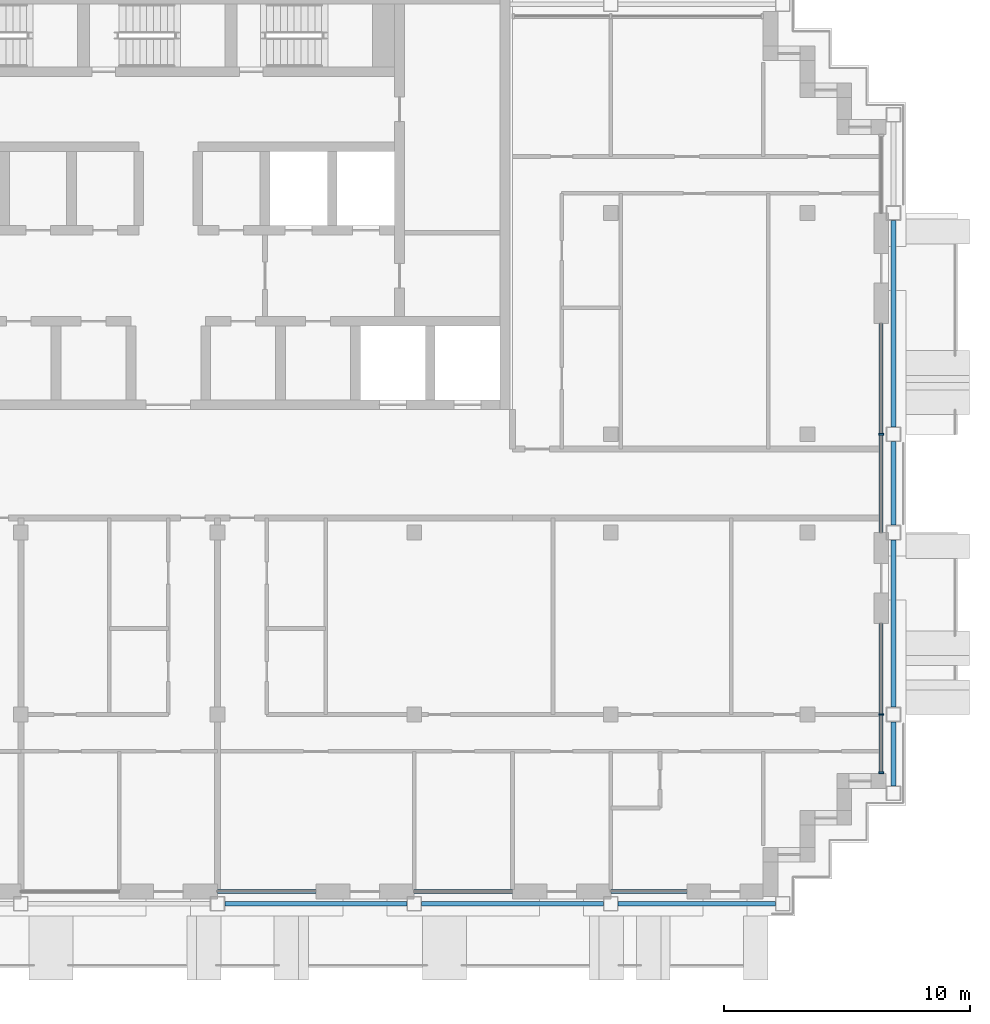
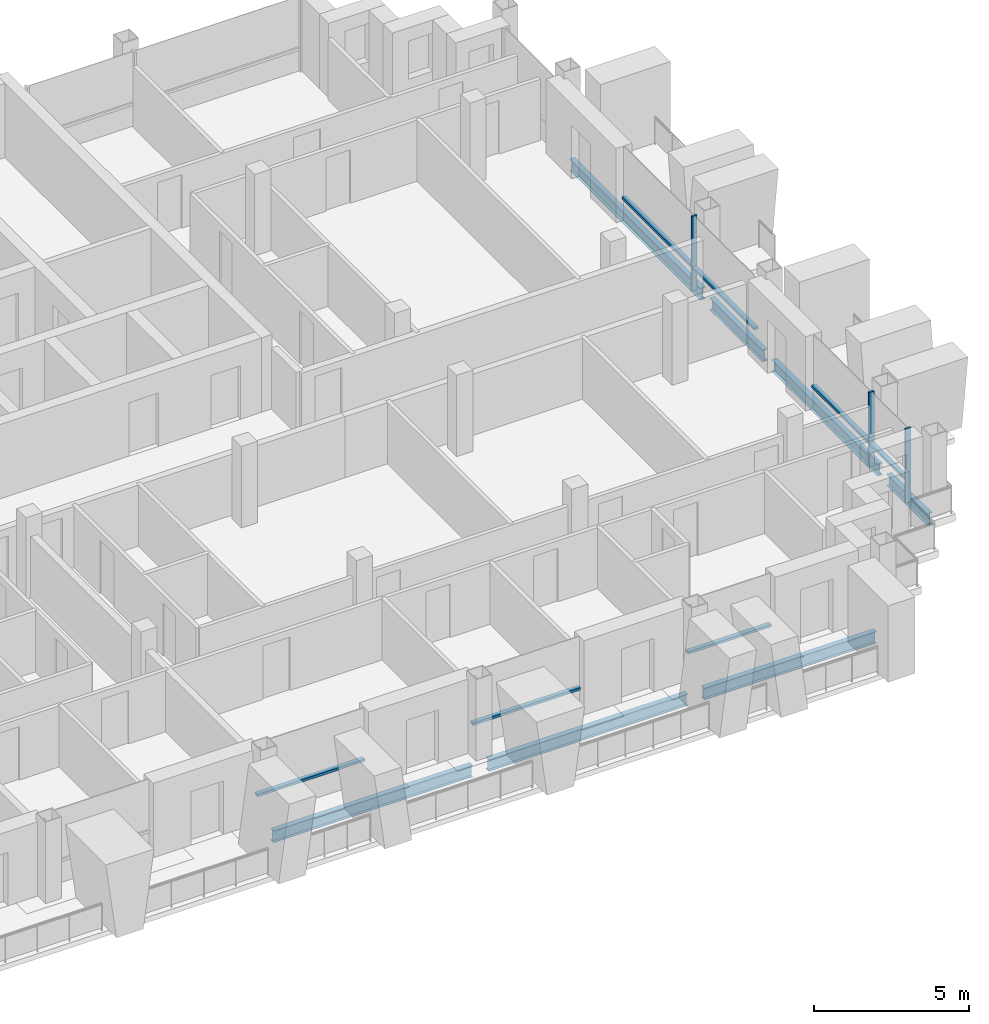
# One storey, part 3 of 16: 10 members, 7 beams, 5 elements without a shape of their own.
"""IFC4 building model written with IfcOpenShell, lengths in metres."""

from ifc_helpers import new_model, si_unit, direction, frame, origin, origin_2d, place, context, subcontext, project, spatial, rectangle, i_section, extrude, material, material_profile, profile_set, type_object, element, aggregate, save


model = new_model("IFC4")

# Units and contexts
model_context = context("Model", 3, precision=1e-05, world=origin(), true_north=direction((0.0, 1.0)))
body_context = subcontext(model_context, "Body", "Model", "MODEL_VIEW")
ifc_project = project(units=[si_unit("LENGTHUNIT", "METRE"), si_unit("AREAUNIT", "SQUARE_METRE"), si_unit("VOLUMEUNIT", "CUBIC_METRE"), si_unit("PLANEANGLEUNIT", "RADIAN"), si_unit("MASSUNIT", "GRAM", prefix="KILO")], contexts=[model_context])

# Site, building, storey
site_placement = place(None, origin())
site = spatial("IfcSite", under=ifc_project, at=site_placement, CompositionType="ELEMENT")
building_placement = place(site_placement, origin())
building = spatial("IfcBuilding", under=site, at=building_placement, Name="Vidyagriha Tower", CompositionType="ELEMENT")
storey_placement = place(building_placement, frame((0.0, 0.0, 223.60009765625)))
storey = spatial("IfcBuildingStorey", under=building, at=storey_placement, Name="L58", CompositionType="ELEMENT", Elevation=223.60009765625)

# Beams
ifc_material_1 = material(Name="Steel ASTM A992 Grade 50", Category="steel")
ifc_material_profile_1 = material_profile(ifc_material_1, i_section(OverallWidth=0.19189453125, OverallDepth=0.46240234375, WebThickness=0.010498046875, FlangeThickness=0.017578125, at=origin_2d()), Name="W18X60")
ifc_profile_set_1 = profile_set([ifc_material_profile_1], Name="Steel ASTM A992 Grade 50")
beam_type = type_object("IfcBeamType", Name="Edge beam W18X60", PredefinedType="SPANDREL", material=ifc_profile_set_1)
for number, where, z_axis, x_axis, name in (
    (1, (2.300048828125, -17.10009765625, -0.51123046875), (1.0, 0.0, 0.0), (0.0, 1.0, 0.0), "st-beam-L58-S05"),
    (2, (10.300048828125, -17.10009765625, -0.51123046875), (1.0, 0.0, 0.0), (0.0, 1.0, 0.0), "st-beam-L58-S06"),
):
    element("IfcBeam", number, at=place(storey_placement, frame(where, z_axis=z_axis, x_axis=x_axis)), inside=storey, type_object=beam_type, Name=name, PredefinedType="SPANDREL", context=body_context, shape_type="SweptSolid", body=[
        extrude(i_section(OverallWidth=0.19189453125, OverallDepth=0.46240234375, WebThickness=0.010498046875, FlangeThickness=0.017578125, at=origin_2d()), origin(), (0.0, 0.0, 1.0), 7.39990234375),
    ])
beam_1_placement = place(storey_placement, frame((18.300048828125, -17.10009765625, -0.51123046875), z_axis=(1.0, 0.0, 0.0), x_axis=(0.0, 1.0, 0.0)))
element("IfcBeam", 3, at=beam_1_placement, inside=storey, type_object=beam_type, Name="st-beam-L58-S07", PredefinedType="SPANDREL", context=body_context, shape_type="SweptSolid", body=[
    extrude(i_section(OverallWidth=0.19189453125, OverallDepth=0.46240234375, WebThickness=0.010498046875, FlangeThickness=0.017578125, at=origin_2d()), origin(), (0.0, 0.0, 1.0), 6.39990234375),
])
beam_2_placement = place(storey_placement, frame((29.5, -12.300048828125, -0.51123046875), z_axis=(0.0, 1.0, 0.0), x_axis=(-1.0, 0.0, 0.0)))
element("IfcBeam", 4, at=beam_2_placement, inside=storey, type_object=beam_type, Name="st-beam-L58-E13", PredefinedType="SPANDREL", context=body_context, shape_type="SweptSolid", body=[
    extrude(i_section(OverallWidth=0.19189453125, OverallDepth=0.46240234375, WebThickness=0.010498046875, FlangeThickness=0.017578125, at=origin_2d()), origin(), (0.0, 0.0, 1.0), 2.60009765625),
])
beam_3_placement = place(storey_placement, frame((29.5, -9.10009765625, -0.51123046875), z_axis=(0.0, 1.0, 0.0), x_axis=(-1.0, 0.0, 0.0)))
element("IfcBeam", 5, at=beam_3_placement, inside=storey, type_object=beam_type, Name="st-beam-L58-E14", PredefinedType="SPANDREL", context=body_context, shape_type="SweptSolid", body=[
    extrude(i_section(OverallWidth=0.19189453125, OverallDepth=0.46240234375, WebThickness=0.010498046875, FlangeThickness=0.017578125, at=origin_2d()), origin(), (0.0, 0.0, 1.0), 6.800048828125),
])
beam_4_placement = place(storey_placement, frame((29.5, -1.699951171875, -0.51123046875), z_axis=(0.0, 1.0, 0.0), x_axis=(-1.0, 0.0, 0.0)))
element("IfcBeam", 6, at=beam_4_placement, inside=storey, type_object=beam_type, Name="st-beam-L58-E15", PredefinedType="SPANDREL", context=body_context, shape_type="SweptSolid", body=[
    extrude(i_section(OverallWidth=0.19189453125, OverallDepth=0.46240234375, WebThickness=0.010498046875, FlangeThickness=0.017578125, at=origin_2d()), origin(), (0.0, 0.0, 1.0), 3.39990234375),
])
beam_5_placement = place(storey_placement, frame((29.5, 2.300048828125, -0.51123046875), z_axis=(0.0, 1.0, 0.0), x_axis=(-1.0, 0.0, 0.0)))
element("IfcBeam", 7, at=beam_5_placement, inside=storey, type_object=beam_type, Name="st-beam-L58-E16", PredefinedType="SPANDREL", context=body_context, shape_type="SweptSolid", body=[
    extrude(i_section(OverallWidth=0.19189453125, OverallDepth=0.46240234375, WebThickness=0.010498046875, FlangeThickness=0.017578125, at=origin_2d()), origin(), (0.0, 0.0, 1.0), 8.39990234375),
])

# Curtain wall, members
ifc_material_2 = material(Name="Aluminium and glass curtain wall", Category="aluminium")
curtain_wall_type = type_object("IfcCurtainWallType", Name="Dwelling skin unitised curtain wall", PredefinedType="USERDEFINED", material=ifc_material_2)
curtain_wall_1_placement = place(storey_placement, origin())
curtain_wall_1 = element("IfcCurtainWall", 8, at=curtain_wall_1_placement, inside=storey, type_object=curtain_wall_type, Name="CW1 dwelling skin", ObjectType="UNITISED", PredefinedType="USERDEFINED")
ifc_material_3 = material(Name="Aluminium black anodised", Category="aluminium")
ifc_material_profile_2 = material_profile(ifc_material_3, rectangle(XDim=0.199951171875, YDim=0.070068359375, at=origin_2d()), Name="Mullion 70x200 black aluminium")
ifc_profile_set_2 = profile_set([ifc_material_profile_2], Name="Aluminium black anodised")
member_type_1 = type_object("IfcMemberType", Name="Mullion 70x200 black aluminium", PredefinedType="MULLION", material=ifc_profile_set_2)
member_1_placement = place(storey_placement, frame((29.0, -11.764892578125, 0.0), z_axis=(0.0, 0.0, 1.0), x_axis=(-1.0, 0.0, 0.0)))
member_1 = element("IfcMember", 9, at=member_1_placement, type_object=member_type_1, Name="CW1 mullion 1", PredefinedType="MULLION", context=body_context, shape_type="SweptSolid", body=[
    extrude(rectangle(XDim=0.199951171875, YDim=0.070068359375, at=origin_2d()), origin(), (0.0, 0.0, 1.0), 2.919921875),
])
member_2_placement = place(storey_placement, frame((29.0, -9.39990234375, 0.0), z_axis=(0.0, 0.0, 1.0), x_axis=(-1.0, 0.0, 0.0)))
member_2 = element("IfcMember", 10, at=member_2_placement, type_object=member_type_1, Name="CW1 mullion 2", PredefinedType="MULLION", context=body_context, shape_type="SweptSolid", body=[
    extrude(rectangle(XDim=0.199951171875, YDim=0.070068359375, at=origin_2d()), origin(), (0.0, 0.0, 1.0), 2.919921875),
])

# Curtain wall, member
curtain_wall_2_placement = place(storey_placement, origin())
curtain_wall_2 = element("IfcCurtainWall", 11, at=curtain_wall_2_placement, inside=storey, type_object=curtain_wall_type, Name="CW1 dwelling skin", ObjectType="UNITISED", PredefinedType="USERDEFINED")
member_3_placement = place(storey_placement, frame((29.0, 2.0, 0.0), z_axis=(0.0, 0.0, 1.0), x_axis=(-1.0, 0.0, 0.0)))
member_3 = element("IfcMember", 12, at=member_3_placement, type_object=member_type_1, Name="CW1 mullion 2", PredefinedType="MULLION", context=body_context, shape_type="SweptSolid", body=[
    extrude(rectangle(XDim=0.199951171875, YDim=0.070068359375, at=origin_2d()), origin(), (0.0, 0.0, 1.0), 2.919921875),
])

curtain_wall_3_placement = place(storey_placement, origin())
curtain_wall_3 = element("IfcCurtainWall", 13, at=curtain_wall_3_placement, inside=storey, type_object=curtain_wall_type, Name="CW1 dwelling skin", ObjectType="UNITISED", PredefinedType="USERDEFINED")
ifc_material_4 = material(Name="Aluminium black anodised", Category="aluminium")
ifc_material_profile_3 = material_profile(ifc_material_4, rectangle(XDim=0.159912109375, YDim=0.10009765625, at=origin_2d()), Name="Transom 100x160 black aluminium")
ifc_profile_set_3 = profile_set([ifc_material_profile_3], Name="Aluminium black anodised")
member_type_2 = type_object("IfcMemberType", Name="Transom 100x160 black aluminium", PredefinedType="USERDEFINED", material=ifc_profile_set_3)
member_4_placement = place(storey_placement, frame((2.0, -16.60009765625, 0.89990234375), z_axis=(1.0, 0.0, 0.0), x_axis=(0.0, 1.0, 0.0)))
member_4 = element("IfcMember", 14, at=member_4_placement, type_object=member_type_2, Name="CW1 transom 1.1", ObjectType="TRANSOM", PredefinedType="USERDEFINED", context=body_context, shape_type="SweptSolid", body=[
    extrude(rectangle(XDim=0.159912109375, YDim=0.10009765625, at=origin_2d()), origin(), (0.0, 0.0, 1.0), 4.0),
])
aggregate(curtain_wall_3, [member_4])

curtain_wall_4_placement = place(storey_placement, origin())
curtain_wall_4 = element("IfcCurtainWall", 15, at=curtain_wall_4_placement, inside=storey, type_object=curtain_wall_type, Name="CW1 dwelling skin", ObjectType="UNITISED", PredefinedType="USERDEFINED")
member_5_placement = place(storey_placement, frame((10.0, -16.60009765625, 0.89990234375), z_axis=(1.0, 0.0, 0.0), x_axis=(0.0, 1.0, 0.0)))
member_5 = element("IfcMember", 16, at=member_5_placement, type_object=member_type_2, Name="CW1 transom 1.1", ObjectType="TRANSOM", PredefinedType="USERDEFINED", context=body_context, shape_type="SweptSolid", body=[
    extrude(rectangle(XDim=0.159912109375, YDim=0.10009765625, at=origin_2d()), origin(), (0.0, 0.0, 1.0), 4.0),
])
aggregate(curtain_wall_4, [member_5])

curtain_wall_5_placement = place(storey_placement, origin())
curtain_wall_5 = element("IfcCurtainWall", 17, at=curtain_wall_5_placement, inside=storey, type_object=curtain_wall_type, Name="CW1 dwelling skin", ObjectType="UNITISED", PredefinedType="USERDEFINED")
member_6_placement = place(storey_placement, frame((18.0, -16.60009765625, 0.89990234375), z_axis=(1.0, 0.0, 0.0), x_axis=(0.0, 1.0, 0.0)))
member_6 = element("IfcMember", 18, at=member_6_placement, type_object=member_type_2, Name="CW1 transom 1.1", ObjectType="TRANSOM", PredefinedType="USERDEFINED", context=body_context, shape_type="SweptSolid", body=[
    extrude(rectangle(XDim=0.159912109375, YDim=0.10009765625, at=origin_2d()), origin(), (0.0, 0.0, 1.0), 3.10009765625),
])
aggregate(curtain_wall_5, [member_6])

# Member
member_7_placement = place(storey_placement, frame((29.0, -11.72998046875, 0.89990234375), z_axis=(0.0, 1.0, 0.0), x_axis=(-1.0, 0.0, 0.0)))
member_7 = element("IfcMember", 19, at=member_7_placement, type_object=member_type_2, Name="CW1 transom 1.1", ObjectType="TRANSOM", PredefinedType="USERDEFINED", context=body_context, shape_type="SweptSolid", body=[
    extrude(rectangle(XDim=0.159912109375, YDim=0.10009765625, at=origin_2d()), origin(), (0.0, 0.0, 1.0), 2.294921875),
])

member_8_placement = place(storey_placement, frame((29.0, -9.364990234375, 0.89990234375), z_axis=(0.0, 1.0, 0.0), x_axis=(-1.0, 0.0, 0.0)))
member_8 = element("IfcMember", 20, at=member_8_placement, type_object=member_type_2, Name="CW1 transom 2.1", ObjectType="TRANSOM", PredefinedType="USERDEFINED", context=body_context, shape_type="SweptSolid", body=[
    extrude(rectangle(XDim=0.159912109375, YDim=0.10009765625, at=origin_2d()), origin(), (0.0, 0.0, 1.0), 3.6650390625),
])

aggregate(curtain_wall_1, [member_1, member_2, member_7, member_8])

member_9_placement = place(storey_placement, frame((29.0, -2.0, 0.89990234375), z_axis=(0.0, 1.0, 0.0), x_axis=(-1.0, 0.0, 0.0)))
member_9 = element("IfcMember", 21, at=member_9_placement, type_object=member_type_2, Name="CW1 transom 1.1", ObjectType="TRANSOM", PredefinedType="USERDEFINED", context=body_context, shape_type="SweptSolid", body=[
    extrude(rectangle(XDim=0.159912109375, YDim=0.10009765625, at=origin_2d()), origin(), (0.0, 0.0, 1.0), 3.965087890625),
])

member_10_placement = place(storey_placement, frame((29.0, 2.034912109375, 0.89990234375), z_axis=(0.0, 1.0, 0.0), x_axis=(-1.0, 0.0, 0.0)))
member_10 = element("IfcMember", 22, at=member_10_placement, type_object=member_type_2, Name="CW1 transom 2.1", ObjectType="TRANSOM", PredefinedType="USERDEFINED", context=body_context, shape_type="SweptSolid", body=[
    extrude(rectangle(XDim=0.159912109375, YDim=0.10009765625, at=origin_2d()), origin(), (0.0, 0.0, 1.0), 4.465087890625),
])

aggregate(curtain_wall_2, [member_3, member_9, member_10])

save(model, "model.ifc")
